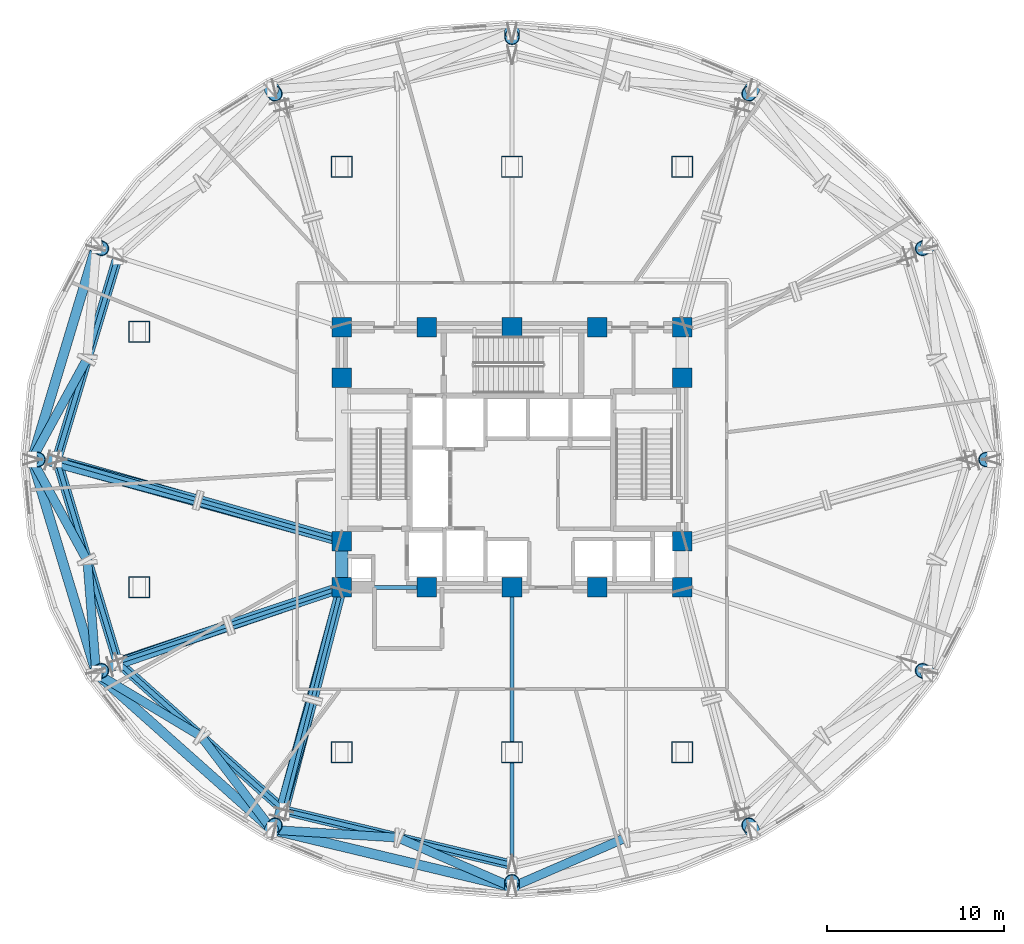
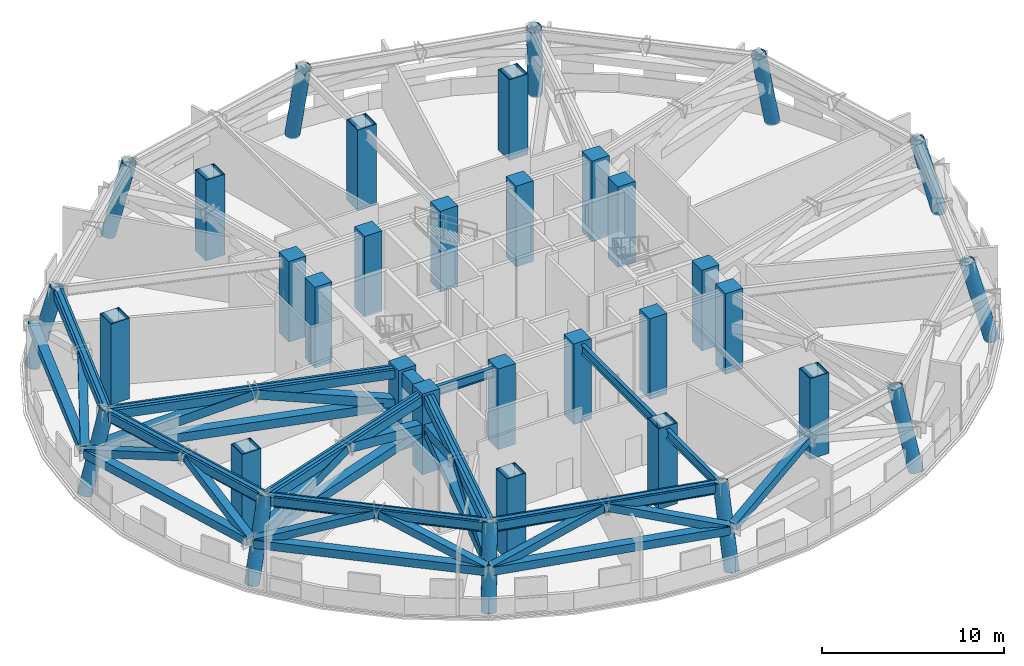
# One storey, part 1 of 14: 34 columns, 28 members, 10 beams.
"""IFC4 building model written with IfcOpenShell, lengths in metres."""

from ifc_helpers import new_model, si_unit, direction, frame, origin, origin_2d, place, context, subcontext, project, spatial, rectangle, hollow_rectangle, hollow_circle, i_section, extrude, material, material_profile, profile_set, type_object, element, save


model = new_model("IFC4")

# Units and contexts
model_context = context("Model", 3, precision=1e-05, world=origin(), true_north=direction((0.0, 1.0)))
body_context = subcontext(model_context, "Body", "Model", "MODEL_VIEW")
ifc_project = project(units=[si_unit("LENGTHUNIT", "METRE"), si_unit("AREAUNIT", "SQUARE_METRE"), si_unit("VOLUMEUNIT", "CUBIC_METRE"), si_unit("PLANEANGLEUNIT", "RADIAN"), si_unit("MASSUNIT", "GRAM", prefix="KILO")], contexts=[model_context])

# Site, building, storey
site_placement = place(None, origin())
site = spatial("IfcSite", under=ifc_project, at=site_placement, CompositionType="ELEMENT")
building_placement = place(site_placement, origin())
building = spatial("IfcBuilding", under=site, at=building_placement, Name="Vantalir Tower", CompositionType="ELEMENT")
storey_placement = place(building_placement, frame((0.0, 0.0, 90.75)))
storey = spatial("IfcBuildingStorey", under=building, at=storey_placement, Name="L22", CompositionType="ELEMENT", Elevation=90.75)

# Columns
ifc_material_1 = material(Name="Concrete C60/75", Category="concrete")
ifc_material_profile_1 = material_profile(ifc_material_1, rectangle(XDim=1.10009765625, YDim=1.10009765625, at=origin_2d()), Name="Concrete C60/75")
ifc_profile_set_1 = profile_set([ifc_material_profile_1], Name="Concrete C60/75")
column_type_1 = type_object("IfcColumnType", Name="COL-CC-1100", PredefinedType="COLUMN", material=ifc_profile_set_1)
for number, where, z_axis, x_axis, name in (
    (1, (21.89990234375, 17.800048828125, 0.0), (0.0, 0.0, 1.0), (1.0, 0.0, 0.0), "L22 Core Column CC01"),
    (2, (26.699951171875, 17.800048828125, 0.0), (0.0, 0.0, 1.0), (1.0, 0.0, 0.0), "L22 Core Column CC02"),
    (3, (31.5, 17.800048828125, 0.0), (0.0, 0.0, 1.0), (1.0, 0.0, 0.0), "L22 Core Column CC03"),
    (4, (36.300048828125, 17.800048828125, 0.0), (0.0, 0.0, 1.0), (1.0, 0.0, 0.0), "L22 Core Column CC04"),
    (5, (41.10009765625, 17.800048828125, 0.0), (0.0, 0.0, 1.0), (1.0, 0.0, 0.0), "L22 Core Column CC05"),
    (6, (21.89990234375, 20.39990234375, 0.0), (0.0, 0.0, 1.0), (1.0, 0.0, 0.0), "L22 Core Column CC06"),
    (7, (21.89990234375, 29.60009765625, 0.0), (0.0, 0.0, 1.0), (1.0, 0.0, 0.0), "L22 Core Column CC07"),
    (8, (41.10009765625, 20.39990234375, 0.0), (0.0, 0.0, 1.0), (1.0, 0.0, 0.0), "L22 Core Column CC08"),
    (9, (41.10009765625, 29.60009765625, 0.0), (0.0, 0.0, 1.0), (1.0, 0.0, 0.0), "L22 Core Column CC09"),
    (10, (21.89990234375, 32.449951171875, 0.0), (0.0, 0.0, 1.0), (1.0, 0.0, 0.0), "L22 Core Column CC10"),
    (11, (26.699951171875, 32.449951171875, 0.0), (0.0, 0.0, 1.0), (1.0, 0.0, 0.0), "L22 Core Column CC11"),
    (12, (31.5, 32.449951171875, 0.0), (0.0, 0.0, 1.0), (1.0, 0.0, 0.0), "L22 Core Column CC12"),
    (13, (36.300048828125, 32.449951171875, 0.0), (0.0, 0.0, 1.0), (1.0, 0.0, 0.0), "L22 Core Column CC13"),
    (14, (41.10009765625, 32.449951171875, 0.0), (0.0, 0.0, 1.0), (1.0, 0.0, 0.0), "L22 Core Column CC14"),
):
    element("IfcColumn", number, at=place(storey_placement, frame(where, z_axis=z_axis, x_axis=x_axis)), inside=storey, type_object=column_type_1, Name=name, PredefinedType="COLUMN", context=body_context, shape_type="SweptSolid", body=[
        extrude(rectangle(XDim=1.10009765625, YDim=1.10009765625, at=origin_2d()), origin(), (0.0, 0.0, 1.0), 5.39990234375),
    ])
ifc_material_2 = material(Name="Steel S460", Category="steel")
ifc_material_profile_2 = material_profile(ifc_material_2, hollow_rectangle(XDim=1.199951171875, YDim=1.199951171875, WallThickness=0.044921875, at=origin_2d()), Name="Steel S460")
ifc_profile_set_2 = profile_set([ifc_material_profile_2], Name="Steel S460")
column_type_2 = type_object("IfcColumnType", Name="COL-MC-1200", PredefinedType="COLUMN", material=ifc_profile_set_2)
for number, where, z_axis, x_axis, name in (
    (15, (21.89990234375, 8.5, 0.0), (0.0, 0.0, 1.0), (1.0, 0.0, 0.0), "L22 S460 Mega-Column MC01"),
    (16, (31.5, 8.5, 0.0), (0.0, 0.0, 1.0), (1.0, 0.0, 0.0), "L22 S460 Mega-Column MC02"),
    (17, (41.10009765625, 8.5, 0.0), (0.0, 0.0, 1.0), (1.0, 0.0, 0.0), "L22 S460 Mega-Column MC03"),
    (18, (10.5, 17.800048828125, 0.0), (0.0, 0.0, 1.0), (1.0, 0.0, 0.0), "L22 S460 Mega-Column MC04"),
    (19, (10.5, 32.199951171875, 0.0), (0.0, 0.0, 1.0), (1.0, 0.0, 0.0), "L22 S460 Mega-Column MC05"),
    (20, (21.89990234375, 41.5, 0.0), (0.0, 0.0, 1.0), (1.0, 0.0, 0.0), "L22 S460 Mega-Column MC06"),
    (21, (31.5, 41.5, 0.0), (0.0, 0.0, 1.0), (1.0, 0.0, 0.0), "L22 S460 Mega-Column MC07"),
    (22, (41.10009765625, 41.5, 0.0), (0.0, 0.0, 1.0), (1.0, 0.0, 0.0), "L22 S460 Mega-Column MC08"),
):
    element("IfcColumn", number, at=place(storey_placement, frame(where, z_axis=z_axis, x_axis=x_axis)), inside=storey, type_object=column_type_2, Name=name, PredefinedType="COLUMN", context=body_context, shape_type="SweptSolid", body=[
        extrude(hollow_rectangle(XDim=1.199951171875, YDim=1.199951171875, WallThickness=0.044921875, at=origin_2d()), origin(), (0.0, 0.0, 1.0), 5.39990234375),
    ])
ifc_material_profile_3 = material_profile(ifc_material_2, hollow_circle(Radius=0.425048828125, WallThickness=0.0400390625, at=origin_2d()), Name="Steel S460")
ifc_profile_set_3 = profile_set([ifc_material_profile_3], Name="Steel S460")
column_type_3 = type_object("IfcColumnType", Name="COL-RC-850", PredefinedType="COLUMN", material=ifc_profile_set_3)
column_1_placement = place(storey_placement, frame((58.550048828125, 25.0, 0.0), z_axis=(-0.259071008052, 0.0, 0.965858277796), x_axis=(0.0, -1.0, 0.0)))
element("IfcColumn", 23, at=column_1_placement, inside=storey, type_object=column_type_3, Name="L22 Perimeter Ring Column RC01", PredefinedType="COLUMN", context=body_context, shape_type="SweptSolid", body=[
    extrude(hollow_circle(Radius=0.425048828125, WallThickness=0.0400390625, at=origin_2d()), origin(), (0.0, 0.0, 1.0), 5.404541015625),
])
column_2_placement = place(storey_placement, frame((54.926025390625, 37.0458984375, 0.0), z_axis=(-0.224631009434, -0.115845161997, 0.967533362754), x_axis=(0.458351011681, -0.888771258587, 0.0)))
element("IfcColumn", 24, at=column_2_placement, inside=storey, type_object=column_type_3, Name="L22 Perimeter Ring Column RC02", PredefinedType="COLUMN", context=body_context, shape_type="SweptSolid", body=[
    extrude(hollow_circle(Radius=0.425048828125, WallThickness=0.0400390625, at=origin_2d()), origin(), (0.0, 0.0, 1.0), 5.39501953125),
])
column_3_placement = place(storey_placement, frame((45.02490234375, 45.864990234375, 0.0), z_axis=(-0.130182492366, -0.201244787641, 0.970851715829), x_axis=(0.839636226919, -0.543149156719, 0.0)))
element("IfcColumn", 25, at=column_3_placement, inside=storey, type_object=column_type_3, Name="L22 Perimeter Ring Column RC03", PredefinedType="COLUMN", context=body_context, shape_type="SweptSolid", body=[
    extrude(hollow_circle(Radius=0.425048828125, WallThickness=0.0400390625, at=origin_2d()), origin(), (0.0, 0.0, 1.0), 5.376708984375),
])
column_4_placement = place(storey_placement, frame((31.5, 49.093017578125, 0.0), z_axis=(0.0, -0.232880918723, 0.972505258441), x_axis=(1.0, 0.0, 0.0)))
element("IfcColumn", 26, at=column_4_placement, inside=storey, type_object=column_type_3, Name="L22 Perimeter Ring Column RC04", PredefinedType="COLUMN", context=body_context, shape_type="SweptSolid", body=[
    extrude(hollow_circle(Radius=0.425048828125, WallThickness=0.0400390625, at=origin_2d()), origin(), (0.0, 0.0, 1.0), 5.367431640625),
])
column_5_placement = place(storey_placement, frame((17.97509765625, 45.864990234375, 0.0), z_axis=(0.130182492366, -0.201244787641, 0.970851715829), x_axis=(0.839636226919, 0.543149156719, 0.0)))
element("IfcColumn", 27, at=column_5_placement, inside=storey, type_object=column_type_3, Name="L22 Perimeter Ring Column RC05", PredefinedType="COLUMN", context=body_context, shape_type="SweptSolid", body=[
    extrude(hollow_circle(Radius=0.425048828125, WallThickness=0.0400390625, at=origin_2d()), origin(), (0.0, 0.0, 1.0), 5.376708984375),
])
column_6_placement = place(storey_placement, frame((8.073974609375, 37.0458984375, 0.0), z_axis=(0.224631009434, -0.115845161997, 0.967533362754), x_axis=(0.458351011681, 0.888771258587, 0.0)))
element("IfcColumn", 28, at=column_6_placement, inside=storey, type_object=column_type_3, Name="L22 Perimeter Ring Column RC06", PredefinedType="COLUMN", context=body_context, shape_type="SweptSolid", body=[
    extrude(hollow_circle(Radius=0.425048828125, WallThickness=0.0400390625, at=origin_2d()), origin(), (0.0, 0.0, 1.0), 5.39501953125),
])
column_7_placement = place(storey_placement, frame((4.449951171875, 25.0, 0.0), z_axis=(0.259071008052, 0.0, 0.965858277796), x_axis=(0.0, 1.0, 0.0)))
element("IfcColumn", 29, at=column_7_placement, inside=storey, type_object=column_type_3, Name="L22 Perimeter Ring Column RC07", PredefinedType="COLUMN", context=body_context, shape_type="SweptSolid", body=[
    extrude(hollow_circle(Radius=0.425048828125, WallThickness=0.0400390625, at=origin_2d()), origin(), (0.0, 0.0, 1.0), 5.404541015625),
])
column_8_placement = place(storey_placement, frame((8.073974609375, 12.952880859375, 0.0), z_axis=(0.224631009434, 0.115845161997, 0.967533362754), x_axis=(-0.458351011681, 0.888771258587, 0.0)))
element("IfcColumn", 30, at=column_8_placement, inside=storey, type_object=column_type_3, Name="L22 Perimeter Ring Column RC08", PredefinedType="COLUMN", context=body_context, shape_type="SweptSolid", body=[
    extrude(hollow_circle(Radius=0.425048828125, WallThickness=0.0400390625, at=origin_2d()), origin(), (0.0, 0.0, 1.0), 5.39501953125),
])
column_9_placement = place(storey_placement, frame((17.97509765625, 4.135009765625, 0.0), z_axis=(0.130182492366, 0.201244787641, 0.970851715829), x_axis=(-0.839636226919, 0.543149156719, 0.0)))
element("IfcColumn", 31, at=column_9_placement, inside=storey, type_object=column_type_3, Name="L22 Perimeter Ring Column RC09", PredefinedType="COLUMN", context=body_context, shape_type="SweptSolid", body=[
    extrude(hollow_circle(Radius=0.425048828125, WallThickness=0.0400390625, at=origin_2d()), origin(), (0.0, 0.0, 1.0), 5.376708984375),
])
column_10_placement = place(storey_placement, frame((31.5, 0.906982421875, 0.0), z_axis=(0.0, 0.232880918723, 0.972505258441), x_axis=(-1.0, 0.0, 0.0)))
element("IfcColumn", 32, at=column_10_placement, inside=storey, type_object=column_type_3, Name="L22 Perimeter Ring Column RC10", PredefinedType="COLUMN", context=body_context, shape_type="SweptSolid", body=[
    extrude(hollow_circle(Radius=0.425048828125, WallThickness=0.0400390625, at=origin_2d()), origin(), (0.0, 0.0, 1.0), 5.367431640625),
])
column_11_placement = place(storey_placement, frame((45.02490234375, 4.135009765625, 0.0), z_axis=(-0.130182492366, 0.201244787641, 0.970851715829), x_axis=(-0.839636226919, -0.543149156719, 0.0)))
element("IfcColumn", 33, at=column_11_placement, inside=storey, type_object=column_type_3, Name="L22 Perimeter Ring Column RC11", PredefinedType="COLUMN", context=body_context, shape_type="SweptSolid", body=[
    extrude(hollow_circle(Radius=0.425048828125, WallThickness=0.0400390625, at=origin_2d()), origin(), (0.0, 0.0, 1.0), 5.376708984375),
])
column_12_placement = place(storey_placement, frame((54.926025390625, 12.952880859375, 0.0), z_axis=(-0.224631009434, 0.115845161997, 0.967533362754), x_axis=(-0.458351011681, -0.888771258587, 0.0)))
element("IfcColumn", 34, at=column_12_placement, inside=storey, type_object=column_type_3, Name="L22 Perimeter Ring Column RC12", PredefinedType="COLUMN", context=body_context, shape_type="SweptSolid", body=[
    extrude(hollow_circle(Radius=0.425048828125, WallThickness=0.0400390625, at=origin_2d()), origin(), (0.0, 0.0, 1.0), 5.39501953125),
])

# Beams
ifc_material_profile_4 = material_profile(ifc_material_1, rectangle(XDim=0.699951171875, YDim=0.949951171875, at=origin_2d()), Name="Concrete C60/75")
ifc_profile_set_4 = profile_set([ifc_material_profile_4], Name="Concrete C60/75")
beam_type_1 = type_object("IfcBeamType", Name="BM-CB-700x950", PredefinedType="USERDEFINED", material=ifc_profile_set_4)
beam_1_placement = place(storey_placement, frame((21.89990234375, 20.39990234375, 4.7451171875), z_axis=(0.0, -1.0, 0.0), x_axis=(1.0, 0.0, 0.0)))
element("IfcBeam", 35, at=beam_1_placement, inside=storey, type_object=beam_type_1, Name="L22 Core Coupling Girder 14", ObjectType="GIRDER", PredefinedType="USERDEFINED", context=body_context, shape_type="SweptSolid", body=[
    extrude(rectangle(XDim=0.699951171875, YDim=0.949951171875, at=origin_2d()), origin(), (0.0, 0.0, 1.0), 2.599853515625),
])
ifc_material_3 = material(Name="Steel S355", Category="steel")
ifc_material_profile_5 = material_profile(ifc_material_3, i_section(OverallWidth=0.22998046875, OverallDepth=0.616943359375, WebThickness=0.01318359375, FlangeThickness=0.022216796875, at=origin_2d()), Name="Steel S355")
ifc_profile_set_5 = profile_set([ifc_material_profile_5], Name="Steel S355")
beam_type_2 = type_object("IfcBeamType", Name="BM-RB-610x229", PredefinedType="BEAM", material=ifc_profile_set_5)
beam_2_placement = place(storey_placement, frame((21.89990234375, 17.800048828125, 4.912109375), z_axis=(1.0, 0.0, 0.0), x_axis=(0.0, 1.0, 0.0)))
element("IfcBeam", 36, at=beam_2_placement, inside=storey, type_object=beam_type_2, Name="L22 Core Coupling Girder 01", PredefinedType="BEAM", context=body_context, shape_type="SweptSolid", body=[
    extrude(i_section(OverallWidth=0.22998046875, OverallDepth=0.616943359375, WebThickness=0.01318359375, FlangeThickness=0.022216796875, at=origin_2d()), origin(), (0.0, 0.0, 1.0), 4.800048828125),
])
beam_3_placement = place(storey_placement, frame((5.85009765625, 25.0, 4.912109375), z_axis=(0.961295170272, -0.275520590177, 0.0), x_axis=(0.275520590177, 0.961295170272, 0.0)))
element("IfcBeam", 37, at=beam_3_placement, inside=storey, type_object=beam_type_2, Name="L22 Radial Floor Beam 07", PredefinedType="BEAM", context=body_context, shape_type="SweptSolid", body=[
    extrude(i_section(OverallWidth=0.22998046875, OverallDepth=0.616943359375, WebThickness=0.01318359375, FlangeThickness=0.022216796875, at=origin_2d()), origin(), (0.0, 0.0, 1.0), 16.696044921875),
])
beam_4_placement = place(storey_placement, frame((9.285888671875, 13.577880859375, 4.912109375), z_axis=(0.948287951827, 0.317411342615, 0.0), x_axis=(-0.317411342615, 0.948287951827, 0.0)))
element("IfcBeam", 38, at=beam_4_placement, inside=storey, type_object=beam_type_2, Name="L22 Radial Floor Beam 08", PredefinedType="BEAM", context=body_context, shape_type="SweptSolid", body=[
    extrude(i_section(OverallWidth=0.22998046875, OverallDepth=0.616943359375, WebThickness=0.01318359375, FlangeThickness=0.022216796875, at=origin_2d()), origin(), (0.0, 0.0, 1.0), 13.302001953125),
])
beam_5_placement = place(storey_placement, frame((18.675048828125, 5.217041015625, 4.912109375), z_axis=(0.248262752693, 0.968692730243, 0.0), x_axis=(-0.968692730243, 0.248262752693, 0.0)))
element("IfcBeam", 39, at=beam_5_placement, inside=storey, type_object=beam_type_2, Name="L22 Radial Floor Beam 09", PredefinedType="BEAM", context=body_context, shape_type="SweptSolid", body=[
    extrude(i_section(OverallWidth=0.22998046875, OverallDepth=0.616943359375, WebThickness=0.01318359375, FlangeThickness=0.022216796875, at=origin_2d()), origin(), (0.0, 0.0, 1.0), 12.98974609375),
])
beam_6_placement = place(storey_placement, frame((31.5, 2.156982421875, 4.912109375), z_axis=(0.0, 1.0, 0.0), x_axis=(-1.0, 0.0, 0.0)))
element("IfcBeam", 40, at=beam_6_placement, inside=storey, type_object=beam_type_2, Name="L22 Radial Floor Beam 10", PredefinedType="BEAM", context=body_context, shape_type="SweptSolid", body=[
    extrude(i_section(OverallWidth=0.22998046875, OverallDepth=0.616943359375, WebThickness=0.01318359375, FlangeThickness=0.022216796875, at=origin_2d()), origin(), (0.0, 0.0, 1.0), 15.64306640625),
])
ifc_material_profile_6 = material_profile(ifc_material_2, i_section(OverallWidth=0.26806640625, OverallDepth=0.77001953125, WebThickness=0.015625, FlangeThickness=0.025390625, at=origin_2d()), Name="Steel S460")
ifc_profile_set_6 = profile_set([ifc_material_profile_6], Name="Steel S460")
beam_type_3 = type_object("IfcBeamType", Name="BM-RG-762x267", PredefinedType="USERDEFINED", material=ifc_profile_set_6)
beam_7_placement = place(storey_placement, frame((9.285888671875, 36.4208984375, 4.8349609375), z_axis=(-0.28808022945, -0.957606276817, 0.0), x_axis=(0.957606276817, -0.28808022945, 0.0)))
element("IfcBeam", 41, at=beam_7_placement, inside=storey, type_object=beam_type_3, Name="L22 Circumferential Ring Girder 06", ObjectType="GIRDER", PredefinedType="USERDEFINED", context=body_context, shape_type="SweptSolid", body=[
    extrude(i_section(OverallWidth=0.26806640625, OverallDepth=0.77001953125, WebThickness=0.015625, FlangeThickness=0.025390625, at=origin_2d()), origin(), (0.0, 0.0, 1.0), 11.926513671875),
])
beam_8_placement = place(storey_placement, frame((5.85009765625, 25.0, 4.8349609375), z_axis=(0.288051996479, -0.957614769792, 0.0), x_axis=(0.957614769792, 0.288051996479, 0.0)))
element("IfcBeam", 42, at=beam_8_placement, inside=storey, type_object=beam_type_3, Name="L22 Circumferential Ring Girder 07", ObjectType="GIRDER", PredefinedType="USERDEFINED", context=body_context, shape_type="SweptSolid", body=[
    extrude(i_section(OverallWidth=0.26806640625, OverallDepth=0.77001953125, WebThickness=0.015625, FlangeThickness=0.025390625, at=origin_2d()), origin(), (0.0, 0.0, 1.0), 11.927734375),
])
beam_9_placement = place(storey_placement, frame((9.285888671875, 13.577880859375, 4.8349609375), z_axis=(0.746819755438, -0.665026505402, 0.0), x_axis=(0.665026505402, 0.746819755438, 0.0)))
element("IfcBeam", 43, at=beam_9_placement, inside=storey, type_object=beam_type_3, Name="L22 Circumferential Ring Girder 08", ObjectType="GIRDER", PredefinedType="USERDEFINED", context=body_context, shape_type="SweptSolid", body=[
    extrude(i_section(OverallWidth=0.26806640625, OverallDepth=0.77001953125, WebThickness=0.015625, FlangeThickness=0.025390625, at=origin_2d()), origin(), (0.0, 0.0, 1.0), 12.572265625),
])
beam_10_placement = place(storey_placement, frame((18.675048828125, 5.217041015625, 4.8349609375), z_axis=(0.972695043045, -0.232086951886, 0.0), x_axis=(0.232086951886, 0.972695043045, 0.0)))
element("IfcBeam", 44, at=beam_10_placement, inside=storey, type_object=beam_type_3, Name="L22 Circumferential Ring Girder 09", ObjectType="GIRDER", PredefinedType="USERDEFINED", context=body_context, shape_type="SweptSolid", body=[
    extrude(i_section(OverallWidth=0.26806640625, OverallDepth=0.77001953125, WebThickness=0.015625, FlangeThickness=0.025390625, at=origin_2d()), origin(), (0.0, 0.0, 1.0), 13.18505859375),
])

# Members
ifc_material_profile_7 = material_profile(ifc_material_2, hollow_rectangle(XDim=0.5, YDim=0.5, WallThickness=0.035888671875, at=origin_2d()), Name="Steel S460")
ifc_profile_set_7 = profile_set([ifc_material_profile_7], Name="Steel S460")
member_type_1 = type_object("IfcMemberType", Name="MEM-BT-500x36", PredefinedType="BRACE", material=ifc_profile_set_7)
member_1_placement = place(storey_placement, frame((4.51806640625, 25.125, 2.865966796875), z_axis=(0.456055072068, 0.835264474129, 0.30715961567), x_axis=(-0.877693944881, 0.479221597092, 0.0)))
element("IfcMember", 45, at=member_1_placement, inside=storey, type_object=member_type_1, Name="L22 Belt Truss Web Diagonal 06B", PredefinedType="BRACE", context=body_context, shape_type="SweptSolid", body=[
    extrude(hollow_rectangle(XDim=0.5, YDim=0.5, WallThickness=0.035888671875, at=origin_2d()), origin(), (0.0, 0.0, 1.0), 6.56689453125),
])
member_2_placement = place(storey_placement, frame((4.51806640625, 24.875, 2.865966796875), z_axis=(0.455998430148, -0.835309425603, 0.307121466527), x_axis=(0.877729823972, 0.479155878718, 0.0)))
element("IfcMember", 46, at=member_2_placement, inside=storey, type_object=member_type_1, Name="L22 Belt Truss Web Diagonal 07A", PredefinedType="BRACE", context=body_context, shape_type="SweptSolid", body=[
    extrude(hollow_rectangle(XDim=0.5, YDim=0.5, WallThickness=0.035888671875, at=origin_2d()), origin(), (0.0, 0.0, 1.0), 6.567626953125),
])
member_3_placement = place(storey_placement, frame((8.06298828125, 13.094970703125, 2.866943359375), z_axis=(-0.075669963687, 0.946501645235, 0.313701597324), x_axis=(-0.996819477071, -0.079692723211, 0.0)))
element("IfcMember", 47, at=member_3_placement, inside=storey, type_object=member_type_1, Name="L22 Belt Truss Web Diagonal 07B", PredefinedType="BRACE", context=body_context, shape_type="SweptSolid", body=[
    extrude(hollow_rectangle(XDim=0.5, YDim=0.5, WallThickness=0.035888671875, at=origin_2d()), origin(), (0.0, 0.0, 1.0), 6.423828125),
])
member_4_placement = place(storey_placement, frame((8.197021484375, 12.87890625, 2.864013671875), z_axis=(0.819598711555, -0.493321976345, 0.291361252867), x_axis=(0.515696447278, 0.856771366389, 0.0)))
element("IfcMember", 48, at=member_4_placement, inside=storey, type_object=member_type_1, Name="L22 Belt Truss Web Diagonal 08A", PredefinedType="BRACE", context=body_context, shape_type="SweptSolid", body=[
    extrude(hollow_rectangle(XDim=0.5, YDim=0.5, WallThickness=0.035888671875, at=origin_2d()), origin(), (0.0, 0.0, 1.0), 6.936279296875),
])
member_5_placement = place(storey_placement, frame((17.888916015625, 4.2490234375, 2.864990234375), z_axis=(-0.576212180241, 0.759036052489, 0.303057411002), x_axis=(-0.796493300007, -0.604647354285, 0.0)))
element("IfcMember", 49, at=member_5_placement, inside=storey, type_object=member_type_1, Name="L22 Belt Truss Web Diagonal 08B", PredefinedType="BRACE", context=body_context, shape_type="SweptSolid", body=[
    extrude(hollow_rectangle(XDim=0.5, YDim=0.5, WallThickness=0.035888671875, at=origin_2d()), origin(), (0.0, 0.0, 1.0), 6.662353515625),
])
member_6_placement = place(storey_placement, frame((18.118896484375, 4.1259765625, 2.862060546875), z_axis=(0.957313819647, -0.060322296322, 0.282686171008), x_axis=(0.062887315709, 0.998020633816, 0.0)))
element("IfcMember", 50, at=member_6_placement, inside=storey, type_object=member_type_1, Name="L22 Belt Truss Web Diagonal 09A", PredefinedType="BRACE", context=body_context, shape_type="SweptSolid", body=[
    extrude(hollow_rectangle(XDim=0.5, YDim=0.5, WallThickness=0.035888671875, at=origin_2d()), origin(), (0.0, 0.0, 1.0), 7.15966796875),
])
for number, where, z_axis, x_axis, name in (
    (51, (31.367919921875, 0.964111328125, 2.863037109375), (-0.878688245198, 0.380943247216, 0.287731142129), (-0.397764208465, -0.917487675375, 0.0), "L22 Belt Truss Web Diagonal 09B"),
    (52, (31.632080078125, 0.964111328125, 2.863037109375), (0.878688245198, 0.380943247216, 0.287731142129), (-0.397764208465, 0.917487675375, 0.0), "L22 Belt Truss Web Diagonal 10A"),
):
    element("IfcMember", number, at=place(storey_placement, frame(where, z_axis=z_axis, x_axis=x_axis)), inside=storey, type_object=member_type_1, Name=name, PredefinedType="BRACE", context=body_context, shape_type="SweptSolid", body=[
        extrude(hollow_rectangle(XDim=0.5, YDim=0.5, WallThickness=0.035888671875, at=origin_2d()), origin(), (0.0, 0.0, 1.0), 7.02734375),
    ])
ifc_material_profile_8 = material_profile(ifc_material_2, hollow_rectangle(XDim=0.550048828125, YDim=0.550048828125, WallThickness=0.035888671875, at=origin_2d()), Name="Steel S460")
ifc_profile_set_8 = profile_set([ifc_material_profile_8], Name="Steel S460")
member_type_2 = type_object("IfcMemberType", Name="MEM-CH-550x36", PredefinedType="CHORD", material=ifc_profile_set_8)
member_7_placement = place(storey_placement, frame((8.031005859375, 36.902099609375, 2.820068359375), z_axis=(-0.288144931553, -0.957586809861, 0.0), x_axis=(0.957586809861, -0.288144931553, 0.0)))
element("IfcMember", 53, at=member_7_placement, inside=storey, type_object=member_type_2, Name="L22 Belt Truss Bottom Chord 06", PredefinedType="CHORD", context=body_context, shape_type="SweptSolid", body=[
    extrude(hollow_rectangle(XDim=0.550048828125, YDim=0.550048828125, WallThickness=0.035888671875, at=origin_2d()), origin(), (0.0, 0.0, 1.0), 12.27880859375),
])
member_8_placement = place(storey_placement, frame((9.242919921875, 36.277099609375, 4.919921875), z_axis=(-0.28813189294, -0.957590733179, 0.0), x_axis=(0.957590733179, -0.28813189294, 0.0)))
element("IfcMember", 54, at=member_8_placement, inside=storey, type_object=member_type_2, Name="L22 Belt Truss Top Chord 06", PredefinedType="CHORD", context=body_context, shape_type="SweptSolid", body=[
    extrude(hollow_rectangle(XDim=0.550048828125, YDim=0.550048828125, WallThickness=0.035888671875, at=origin_2d()), origin(), (0.0, 0.0, 1.0), 11.626220703125),
])
member_9_placement = place(storey_placement, frame((4.492919921875, 24.85595703125, 2.820068359375), z_axis=(0.28812298834, -0.957593412462, 0.0), x_axis=(0.957593412462, 0.28812298834, 0.0)))
element("IfcMember", 55, at=member_9_placement, inside=storey, type_object=member_type_2, Name="L22 Belt Truss Bottom Chord 07", PredefinedType="CHORD", context=body_context, shape_type="SweptSolid", body=[
    extrude(hollow_rectangle(XDim=0.550048828125, YDim=0.550048828125, WallThickness=0.035888671875, at=origin_2d()), origin(), (0.0, 0.0, 1.0), 12.27978515625),
])
member_10_placement = place(storey_placement, frame((5.89306640625, 24.85595703125, 4.919921875), z_axis=(0.288108718808, -0.957597705797, 0.0), x_axis=(0.957597705797, 0.288108718808, 0.0)))
element("IfcMember", 56, at=member_10_placement, inside=storey, type_object=member_type_2, Name="L22 Belt Truss Top Chord 07", PredefinedType="CHORD", context=body_context, shape_type="SweptSolid", body=[
    extrude(hollow_rectangle(XDim=0.550048828125, YDim=0.550048828125, WallThickness=0.035888671875, at=origin_2d()), origin(), (0.0, 0.0, 1.0), 11.626953125),
])
member_11_placement = place(storey_placement, frame((8.18603515625, 12.85302734375, 2.820068359375), z_axis=(0.74679049871, -0.665059359032, 0.0), x_axis=(0.665059359032, 0.74679049871, 0.0)))
element("IfcMember", 57, at=member_11_placement, inside=storey, type_object=member_type_2, Name="L22 Belt Truss Bottom Chord 08", PredefinedType="CHORD", context=body_context, shape_type="SweptSolid", body=[
    extrude(hollow_rectangle(XDim=0.550048828125, YDim=0.550048828125, WallThickness=0.035888671875, at=origin_2d()), origin(), (0.0, 0.0, 1.0), 12.9580078125),
])
member_12_placement = place(storey_placement, frame((9.39794921875, 13.47802734375, 4.919921875), z_axis=(0.746825103397, -0.665020499636, 0.0), x_axis=(0.665020499636, 0.746825103397, 0.0)))
element("IfcMember", 58, at=member_12_placement, inside=storey, type_object=member_type_2, Name="L22 Belt Truss Top Chord 08", PredefinedType="CHORD", context=body_context, shape_type="SweptSolid", body=[
    extrude(hollow_rectangle(XDim=0.550048828125, YDim=0.550048828125, WallThickness=0.035888671875, at=origin_2d()), origin(), (0.0, 0.0, 1.0), 12.27197265625),
])
member_13_placement = place(storey_placement, frame((18.12109375, 4.10009765625, 2.820068359375), z_axis=(0.972681688256, -0.232142915746, 0.0), x_axis=(0.232142915746, 0.972681688256, 0.0)))
element("IfcMember", 59, at=member_13_placement, inside=storey, type_object=member_type_2, Name="L22 Belt Truss Bottom Chord 09", PredefinedType="CHORD", context=body_context, shape_type="SweptSolid", body=[
    extrude(hollow_rectangle(XDim=0.550048828125, YDim=0.550048828125, WallThickness=0.035888671875, at=origin_2d()), origin(), (0.0, 0.0, 1.0), 13.6044921875),
])
member_14_placement = place(storey_placement, frame((18.821044921875, 5.181884765625, 4.919921875), z_axis=(0.97270202374, -0.232057693284, 0.0), x_axis=(0.232057693284, 0.97270202374, 0.0)))
element("IfcMember", 60, at=member_14_placement, inside=storey, type_object=member_type_2, Name="L22 Belt Truss Top Chord 09", PredefinedType="CHORD", context=body_context, shape_type="SweptSolid", body=[
    extrude(hollow_rectangle(XDim=0.550048828125, YDim=0.550048828125, WallThickness=0.035888671875, at=origin_2d()), origin(), (0.0, 0.0, 1.0), 12.884765625),
])
ifc_material_profile_9 = material_profile(ifc_material_2, hollow_rectangle(XDim=0.580078125, YDim=0.580078125, WallThickness=0.0380859375, at=origin_2d()), Name="Steel S460")
ifc_profile_set_9 = profile_set([ifc_material_profile_9], Name="Steel S460")
member_type_3 = type_object("IfcMemberType", Name="MEM-CH-580x38", PredefinedType="CHORD", material=ifc_profile_set_9)
member_15_placement = place(storey_placement, frame((21.7548828125, 20.43994140625, 2.820068359375), z_axis=(-0.96417452403, 0.265268707561, 0.0), x_axis=(-0.265268707561, -0.96417452403, 0.0)))
element("IfcMember", 61, at=member_15_placement, inside=storey, type_object=member_type_3, Name="L22 Outrigger Truss Bottom Chord 05", PredefinedType="CHORD", context=body_context, shape_type="SweptSolid", body=[
    extrude(hollow_rectangle(XDim=0.580078125, YDim=0.580078125, WallThickness=0.0380859375, at=origin_2d()), origin(), (0.0, 0.0, 1.0), 17.039306640625),
])
member_16_placement = place(storey_placement, frame((21.756103515625, 20.44091796875, 4.919921875), z_axis=(-0.961855701099, 0.273557325371, 0.0), x_axis=(-0.273557325371, -0.961855701099, 0.0)))
element("IfcMember", 62, at=member_16_placement, inside=storey, type_object=member_type_3, Name="L22 Outrigger Truss Top Chord 05", PredefinedType="CHORD", context=body_context, shape_type="SweptSolid", body=[
    extrude(hollow_rectangle(XDim=0.580078125, YDim=0.580078125, WallThickness=0.0380859375, at=origin_2d()), origin(), (0.0, 0.0, 1.0), 16.515869140625),
])
member_17_placement = place(storey_placement, frame((21.758056640625, 17.7509765625, 2.820068359375), z_axis=(-0.946009443042, -0.324139065335, 0.0), x_axis=(0.324139065335, -0.946009443042, 0.0)))
element("IfcMember", 63, at=member_17_placement, inside=storey, type_object=member_type_3, Name="L22 Outrigger Truss Bottom Chord 06", PredefinedType="CHORD", context=body_context, shape_type="SweptSolid", body=[
    extrude(hollow_rectangle(XDim=0.580078125, YDim=0.580078125, WallThickness=0.0380859375, at=origin_2d()), origin(), (0.0, 0.0, 1.0), 13.645751953125),
])
member_18_placement = place(storey_placement, frame((21.758056640625, 17.751953125, 4.919921875), z_axis=(-0.947859616232, -0.318688167205, 0.0), x_axis=(0.318688167205, -0.947859616232, 0.0)))
element("IfcMember", 64, at=member_18_placement, inside=storey, type_object=member_type_3, Name="L22 Outrigger Truss Top Chord 06", PredefinedType="CHORD", context=body_context, shape_type="SweptSolid", body=[
    extrude(hollow_rectangle(XDim=0.580078125, YDim=0.580078125, WallThickness=0.0380859375, at=origin_2d()), origin(), (0.0, 0.0, 1.0), 13.1220703125),
])
member_19_placement = place(storey_placement, frame((21.861083984375, 17.655029296875, 2.820068359375), z_axis=(-0.262244268139, -0.965001525299, 0.0), x_axis=(0.965001525299, -0.262244268139, 0.0)))
element("IfcMember", 65, at=member_19_placement, inside=storey, type_object=member_type_3, Name="L22 Outrigger Truss Bottom Chord 07", PredefinedType="CHORD", context=body_context, shape_type="SweptSolid", body=[
    extrude(hollow_rectangle(XDim=0.580078125, YDim=0.580078125, WallThickness=0.0380859375, at=origin_2d()), origin(), (0.0, 0.0, 1.0), 13.274658203125),
])
member_20_placement = place(storey_placement, frame((21.862060546875, 17.655029296875, 4.919921875), z_axis=(-0.250978046934, -0.967992778877, 0.0), x_axis=(0.967992778877, -0.250978046934, 0.0)))
element("IfcMember", 66, at=member_20_placement, inside=storey, type_object=member_type_3, Name="L22 Outrigger Truss Top Chord 07", PredefinedType="CHORD", context=body_context, shape_type="SweptSolid", body=[
    extrude(hollow_rectangle(XDim=0.580078125, YDim=0.580078125, WallThickness=0.0380859375, at=origin_2d()), origin(), (0.0, 0.0, 1.0), 12.798583984375),
])
ifc_material_profile_10 = material_profile(ifc_material_2, hollow_rectangle(XDim=0.60009765625, YDim=0.60009765625, WallThickness=0.0400390625, at=origin_2d()), Name="Steel S460")
ifc_profile_set_10 = profile_set([ifc_material_profile_10], Name="Steel S460")
member_type_4 = type_object("IfcMemberType", Name="MEM-OR-600x40", PredefinedType="BRACE", material=ifc_profile_set_10)
member_21_placement = place(storey_placement, frame((21.760009765625, 20.43994140625, 2.85595703125), z_axis=(-0.933179379402, 0.265368160801, 0.24239633886), x_axis=(-0.27352542445, -0.961864773333, 0.0)))
element("IfcMember", 67, at=member_21_placement, inside=storey, type_object=member_type_4, Name="L22 Outrigger Truss Diagonal 05A", PredefinedType="BRACE", context=body_context, shape_type="SweptSolid", body=[
    extrude(hollow_rectangle(XDim=0.60009765625, YDim=0.60009765625, WallThickness=0.0400390625, at=origin_2d()), origin(), (0.0, 0.0, 1.0), 8.39599609375),
])
member_22_placement = place(storey_placement, frame((13.699951171875, 22.72998046875, 4.89306640625), z_axis=(-0.940634050366, 0.250590875639, -0.228936227668), x_axis=(-0.257427791509, -0.966297538111, 0.0)))
element("IfcMember", 68, at=member_22_placement, inside=storey, type_object=member_type_4, Name="L22 Outrigger Truss Diagonal 05B", PredefinedType="BRACE", context=body_context, shape_type="SweptSolid", body=[
    extrude(hollow_rectangle(XDim=0.60009765625, YDim=0.60009765625, WallThickness=0.0400390625, at=origin_2d()), origin(), (0.0, 0.0, 1.0), 8.90673828125),
])
member_23_placement = place(storey_placement, frame((21.763916015625, 17.75390625, 2.864990234375), z_axis=(-0.904622489879, -0.304092690403, 0.298639894268), x_axis=(0.318633241199, -0.947878081613, 0.0)))
element("IfcMember", 69, at=member_23_placement, inside=storey, type_object=member_type_4, Name="L22 Outrigger Truss Diagonal 06A", PredefinedType="BRACE", context=body_context, shape_type="SweptSolid", body=[
    extrude(hollow_rectangle(XDim=0.60009765625, YDim=0.60009765625, WallThickness=0.0400390625, at=origin_2d()), origin(), (0.0, 0.0, 1.0), 6.7607421875),
])
member_24_placement = place(storey_placement, frame((15.429931640625, 15.623046875, 4.886962890625), z_axis=(-0.906838318089, -0.316116174263, -0.278773795783), x_axis=(0.329165343973, -0.944272299883, 0.0)))
element("IfcMember", 70, at=member_24_placement, inside=storey, type_object=member_type_4, Name="L22 Outrigger Truss Diagonal 06B", PredefinedType="BRACE", context=body_context, shape_type="SweptSolid", body=[
    extrude(hollow_rectangle(XDim=0.60009765625, YDim=0.60009765625, WallThickness=0.0400390625, at=origin_2d()), origin(), (0.0, 0.0, 1.0), 7.263671875),
])
member_25_placement = place(storey_placement, frame((21.864013671875, 17.662109375, 2.865966796875), z_axis=(-0.238974679598, -0.921796425678, 0.305258009097), x_axis=(0.967999341767, -0.250952733278, 0.0)))
element("IfcMember", 71, at=member_25_placement, inside=storey, type_object=member_type_4, Name="L22 Outrigger Truss Diagonal 07A", PredefinedType="BRACE", context=body_context, shape_type="SweptSolid", body=[
    extrude(hollow_rectangle(XDim=0.60009765625, YDim=0.60009765625, WallThickness=0.0400390625, at=origin_2d()), origin(), (0.0, 0.0, 1.0), 6.60791015625),
])
member_26_placement = place(storey_placement, frame((20.22509765625, 11.35009765625, 4.885986328125), z_axis=(-0.261198475463, -0.921832248544, -0.286357577095), x_axis=(0.962123257462, -0.272614815172, 0.0)))
element("IfcMember", 72, at=member_26_placement, inside=storey, type_object=member_type_4, Name="L22 Outrigger Truss Diagonal 07B", PredefinedType="BRACE", context=body_context, shape_type="SweptSolid", body=[
    extrude(hollow_rectangle(XDim=0.60009765625, YDim=0.60009765625, WallThickness=0.0400390625, at=origin_2d()), origin(), (0.0, 0.0, 1.0), 7.064453125),
])

save(model, "model.ifc")
